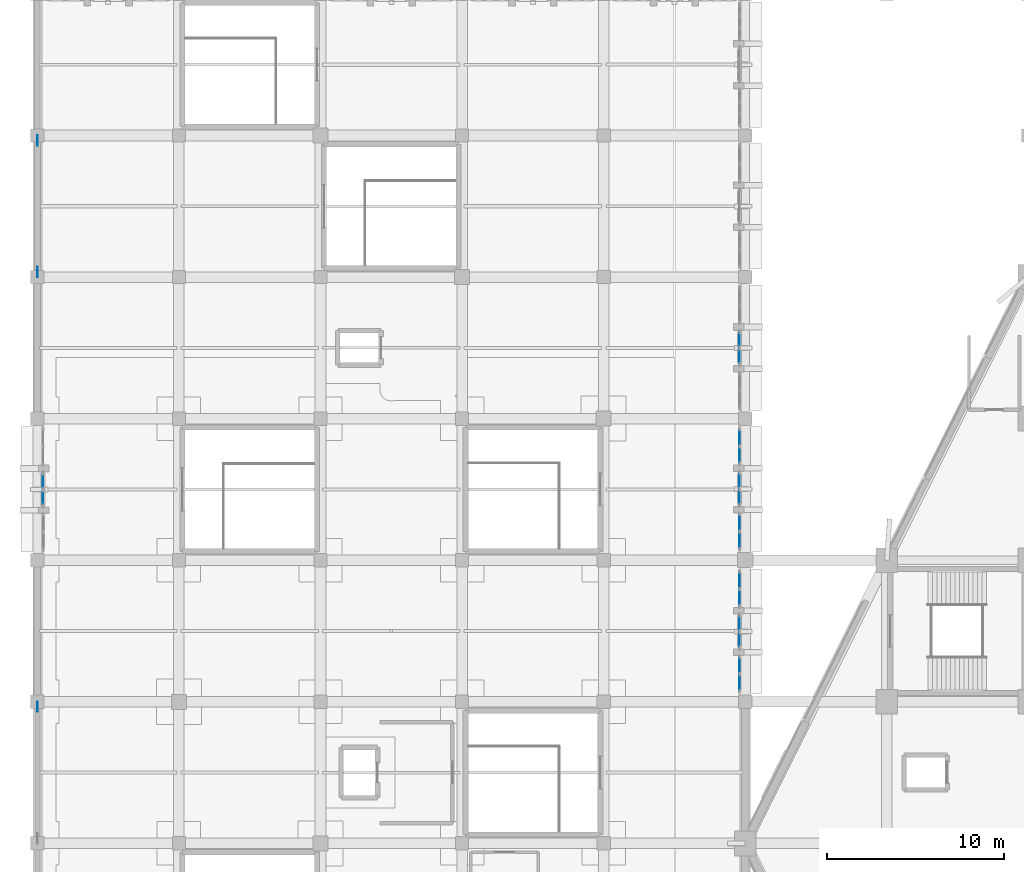
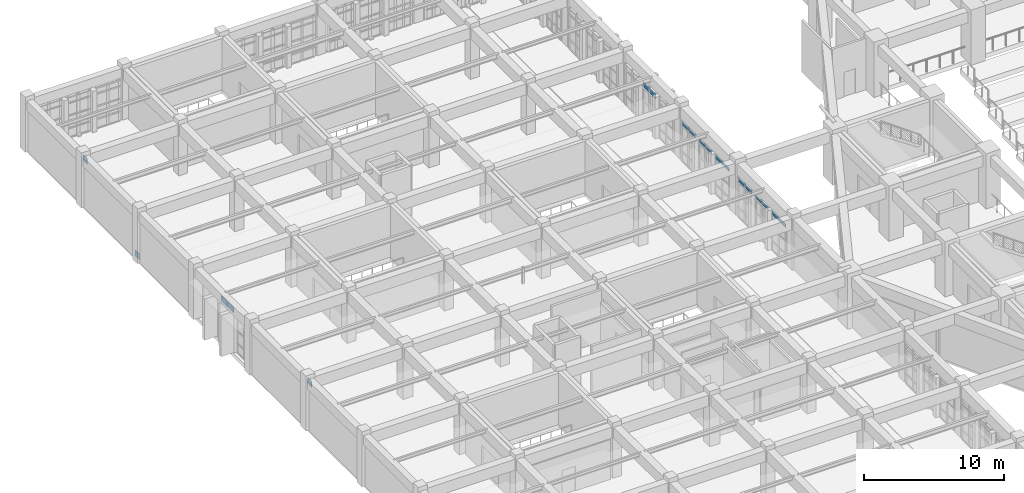
# One storey, part 124 of 155: 19 plates, 8 elements without a shape of their own.
"""IFC4 building model written with IfcOpenShell, lengths in metres."""

from ifc_helpers import new_model, si_unit, direction, frame, origin, origin_2d, place, context, subcontext, project, spatial, rectangle, extrude, material, layer, layer_set, type_object, element, aggregate, save


model = new_model("IFC4")

# Units and contexts
model_context = context("Model", 3, precision=1e-05, world=origin(), true_north=direction((0.0, 1.0)))
body_context = subcontext(model_context, "Body", "Model", "MODEL_VIEW")
ifc_project = project(units=[si_unit("LENGTHUNIT", "METRE"), si_unit("AREAUNIT", "SQUARE_METRE"), si_unit("VOLUMEUNIT", "CUBIC_METRE"), si_unit("PLANEANGLEUNIT", "RADIAN"), si_unit("MASSUNIT", "GRAM", prefix="KILO")], contexts=[model_context])

# Site, building, storey
site_placement = place(None, origin())
site = spatial("IfcSite", under=ifc_project, at=site_placement, CompositionType="ELEMENT")
building_placement = place(site_placement, origin())
building = spatial("IfcBuilding", under=site, at=building_placement, Name="Tazarka Park Arena", CompositionType="ELEMENT")
storey_placement = place(building_placement, frame((0.0, 0.0, 5.39990234375)))
storey = spatial("IfcBuildingStorey", under=building, at=storey_placement, Name="L01", CompositionType="ELEMENT", Elevation=5.39990234375)

# Curtain wall, plates
ifc_material_1 = material(Name="Aluminium and low-e glass", Category="aluminium")
ifc_layer_1 = layer(ifc_material_1, 0.179931640625, Name="Aluminium and low-e glass")
ifc_layer_set_1 = layer_set([ifc_layer_1], Name="Aluminium and low-e glass")
curtain_wall_type_1 = type_object("IfcCurtainWallType", Name="CW-21", PredefinedType="NOTDEFINED", material=ifc_layer_set_1)
curtain_wall_1_placement = place(storey_placement, origin())
curtain_wall_1 = element("IfcCurtainWall", 1, at=curtain_wall_1_placement, inside=storey, type_object=curtain_wall_type_1, Name="Curtain Wall CWA-L01-111", PredefinedType="NOTDEFINED")
ifc_material_2 = material(Name="Double low-e insulated glazing", Category="glass")
ifc_layer_2 = layer(ifc_material_2, 0.028076171875, Name="Double low-e insulated glazing")
ifc_layer_set_2 = layer_set([ifc_layer_2], Name="Double low-e insulated glazing")
plate_type_1 = type_object("IfcPlateType", Name="CWP-01", PredefinedType="CURTAIN_PANEL", material=ifc_layer_set_2)
plate_1_placement = place(storey_placement, frame((39.679931640625, 74.066162109375, 3.08251953125), z_axis=(0.0, 0.0, 1.0), x_axis=(0.0, -1.0, 0.0)))
plate_1 = element("IfcPlate", 2, at=plate_1_placement, type_object=plate_type_1, Name="CW-21 panel 1.4", PredefinedType="CURTAIN_PANEL", context=body_context, shape_type="SweptSolid", body=[
    extrude(rectangle(XDim=0.9208984375, YDim=0.028076171875, at=origin_2d()), origin(), (0.0, 0.0, 1.0), 0.302490234375),
])
plate_2_placement = place(storey_placement, frame((39.679931640625, 73.080322265625, 3.08251953125), z_axis=(0.0, 0.0, 1.0), x_axis=(0.0, -1.0, 0.0)))
plate_2 = element("IfcPlate", 3, at=plate_2_placement, type_object=plate_type_1, Name="CW-21 panel 2.4", PredefinedType="CURTAIN_PANEL", context=body_context, shape_type="SweptSolid", body=[
    extrude(rectangle(XDim=0.9208984375, YDim=0.028076171875, at=origin_2d()), origin(), (0.0, 0.0, 1.0), 0.302490234375),
])
aggregate(curtain_wall_1, [plate_1, plate_2])

ifc_material_3 = material(Name="Aluminium and low-e glass", Category="aluminium")
ifc_layer_3 = layer(ifc_material_3, 0.179931640625, Name="Aluminium and low-e glass")
ifc_layer_set_3 = layer_set([ifc_layer_3], Name="Aluminium and low-e glass")
curtain_wall_type_2 = type_object("IfcCurtainWallType", Name="CW-24", PredefinedType="NOTDEFINED", material=ifc_layer_set_3)
curtain_wall_2_placement = place(storey_placement, origin())
curtain_wall_2 = element("IfcCurtainWall", 4, at=curtain_wall_2_placement, inside=storey, type_object=curtain_wall_type_2, Name="Curtain Wall CWA-L01-114", PredefinedType="NOTDEFINED")
plate_3_placement = place(storey_placement, frame((39.679931640625, 82.1162109375, 3.08251953125), z_axis=(0.0, 0.0, 1.0), x_axis=(0.0, -1.0, 0.0)))
plate_3 = element("IfcPlate", 5, at=plate_3_placement, type_object=plate_type_1, Name="CW-24 panel 1.4", PredefinedType="CURTAIN_PANEL", context=body_context, shape_type="SweptSolid", body=[
    extrude(rectangle(XDim=0.9208984375, YDim=0.028076171875, at=origin_2d()), origin(), (0.0, 0.0, 1.0), 0.302490234375),
])
plate_4_placement = place(storey_placement, frame((39.679931640625, 81.13037109375, 3.08251953125), z_axis=(0.0, 0.0, 1.0), x_axis=(0.0, -1.0, 0.0)))
plate_4 = element("IfcPlate", 6, at=plate_4_placement, type_object=plate_type_1, Name="CW-24 panel 2.4", PredefinedType="CURTAIN_PANEL", context=body_context, shape_type="SweptSolid", body=[
    extrude(rectangle(XDim=0.9208984375, YDim=0.028076171875, at=origin_2d()), origin(), (0.0, 0.0, 1.0), 0.302490234375),
])
aggregate(curtain_wall_2, [plate_3, plate_4])

ifc_material_4 = material(Name="Aluminium and low-e glass", Category="aluminium")
ifc_layer_4 = layer(ifc_material_4, 0.179931640625, Name="Aluminium and low-e glass")
ifc_layer_set_4 = layer_set([ifc_layer_4], Name="Aluminium and low-e glass")
curtain_wall_type_3 = type_object("IfcCurtainWallType", Name="CW-19", PredefinedType="NOTDEFINED", material=ifc_layer_set_4)
curtain_wall_3_placement = place(storey_placement, origin())
curtain_wall_3 = element("IfcCurtainWall", 7, at=curtain_wall_3_placement, inside=storey, type_object=curtain_wall_type_3, Name="Curtain Wall CWA-L01-109", PredefinedType="NOTDEFINED")
ifc_material_5 = material(Name="Triple acoustic solar glazing", Category="glass")
ifc_layer_5 = layer(ifc_material_5, 0.031982421875, Name="Triple acoustic solar glazing")
ifc_layer_set_5 = layer_set([ifc_layer_5], Name="Triple acoustic solar glazing")
plate_type_2 = type_object("IfcPlateType", Name="CWP-02", PredefinedType="CURTAIN_PANEL", material=ifc_layer_set_5)
plate_5_placement = place(storey_placement, frame((39.679931640625, 78.86962890625, 3.08251953125), z_axis=(0.0, 0.0, 1.0), x_axis=(0.0, -1.0, 0.0)))
plate_5 = element("IfcPlate", 8, at=plate_5_placement, type_object=plate_type_2, Name="CW-19 panel 1.4", PredefinedType="CURTAIN_PANEL", context=body_context, shape_type="SweptSolid", body=[
    extrude(rectangle(XDim=0.9208984375, YDim=0.031982421875, at=origin_2d()), origin(), (0.0, 0.0, 1.0), 0.302490234375),
])
plate_6_placement = place(storey_placement, frame((39.679931640625, 77.8837890625, 3.08251953125), z_axis=(0.0, 0.0, 1.0), x_axis=(0.0, -1.0, 0.0)))
plate_6 = element("IfcPlate", 9, at=plate_6_placement, type_object=plate_type_2, Name="CW-19 panel 2.4", PredefinedType="CURTAIN_PANEL", context=body_context, shape_type="SweptSolid", body=[
    extrude(rectangle(XDim=0.9208984375, YDim=0.031982421875, at=origin_2d()), origin(), (0.0, 0.0, 1.0), 0.302490234375),
])
aggregate(curtain_wall_3, [plate_5, plate_6])

ifc_material_6 = material(Name="Aluminium and low-e glass", Category="aluminium")
ifc_layer_6 = layer(ifc_material_6, 0.179931640625, Name="Aluminium and low-e glass")
ifc_layer_set_6 = layer_set([ifc_layer_6], Name="Aluminium and low-e glass")
curtain_wall_type_4 = type_object("IfcCurtainWallType", Name="CW-22", PredefinedType="NOTDEFINED", material=ifc_layer_set_6)
curtain_wall_4_placement = place(storey_placement, origin())
curtain_wall_4 = element("IfcCurtainWall", 10, at=curtain_wall_4_placement, inside=storey, type_object=curtain_wall_type_4, Name="Curtain Wall CWA-L01-112", PredefinedType="NOTDEFINED")
plate_7_placement = place(storey_placement, frame((39.679931640625, 86.919677734375, 3.08251953125), z_axis=(0.0, 0.0, 1.0), x_axis=(0.0, -1.0, 0.0)))
plate_7 = element("IfcPlate", 11, at=plate_7_placement, type_object=plate_type_2, Name="CW-22 panel 1.4", PredefinedType="CURTAIN_PANEL", context=body_context, shape_type="SweptSolid", body=[
    extrude(rectangle(XDim=0.9208984375, YDim=0.031982421875, at=origin_2d()), origin(), (0.0, 0.0, 1.0), 0.302490234375),
])
plate_8_placement = place(storey_placement, frame((39.679931640625, 85.933837890625, 3.08251953125), z_axis=(0.0, 0.0, 1.0), x_axis=(0.0, -1.0, 0.0)))
plate_8 = element("IfcPlate", 12, at=plate_8_placement, type_object=plate_type_2, Name="CW-22 panel 2.4", PredefinedType="CURTAIN_PANEL", context=body_context, shape_type="SweptSolid", body=[
    extrude(rectangle(XDim=0.9208984375, YDim=0.031982421875, at=origin_2d()), origin(), (0.0, 0.0, 1.0), 0.302490234375),
])
aggregate(curtain_wall_4, [plate_7, plate_8])

ifc_material_7 = material(Name="Aluminium and low-e glass", Category="aluminium")
ifc_layer_7 = layer(ifc_material_7, 0.179931640625, Name="Aluminium and low-e glass")
ifc_layer_set_7 = layer_set([ifc_layer_7], Name="Aluminium and low-e glass")
curtain_wall_type_5 = type_object("IfcCurtainWallType", Name="CW-20", PredefinedType="NOTDEFINED", material=ifc_layer_set_7)
curtain_wall_5_placement = place(storey_placement, origin())
curtain_wall_5 = element("IfcCurtainWall", 13, at=curtain_wall_5_placement, inside=storey, type_object=curtain_wall_type_5, Name="Curtain Wall CWA-L01-110", PredefinedType="NOTDEFINED")
ifc_material_8 = material(Name="Insulated aluminium spandrel panel", Category="aluminium")
ifc_layer_8 = layer(ifc_material_8, 0.035888671875, Name="Insulated aluminium spandrel panel")
ifc_layer_set_8 = layer_set([ifc_layer_8], Name="Insulated aluminium spandrel panel")
plate_type_3 = type_object("IfcPlateType", Name="CWP-03", PredefinedType="CURTAIN_PANEL", material=ifc_layer_set_8)
plate_9_placement = place(storey_placement, frame((39.679931640625, 76.43798828125, 3.087646484375), z_axis=(0.0, 0.0, 1.0), x_axis=(0.0, -1.0, 0.0)))
plate_9 = element("IfcPlate", 14, at=plate_9_placement, type_object=plate_type_3, Name="CW-20 panel 1.4", PredefinedType="CURTAIN_PANEL", context=body_context, shape_type="SweptSolid", body=[
    extrude(rectangle(XDim=0.850830078125, YDim=0.035888671875, at=origin_2d()), origin(), (0.0, 0.0, 1.0), 0.28759765625),
])
plate_10_placement = place(storey_placement, frame((39.679931640625, 75.51220703125, 3.087646484375), z_axis=(0.0, 0.0, 1.0), x_axis=(0.0, -1.0, 0.0)))
plate_10 = element("IfcPlate", 15, at=plate_10_placement, type_object=plate_type_3, Name="CW-20 panel 2.4", PredefinedType="CURTAIN_PANEL", context=body_context, shape_type="SweptSolid", body=[
    extrude(rectangle(XDim=0.850830078125, YDim=0.035888671875, at=origin_2d()), origin(), (0.0, 0.0, 1.0), 0.28759765625),
])
aggregate(curtain_wall_5, [plate_9, plate_10])

ifc_material_9 = material(Name="Aluminium and low-e glass", Category="aluminium")
ifc_layer_9 = layer(ifc_material_9, 0.179931640625, Name="Aluminium and low-e glass")
ifc_layer_set_9 = layer_set([ifc_layer_9], Name="Aluminium and low-e glass")
curtain_wall_type_6 = type_object("IfcCurtainWallType", Name="CW-23", PredefinedType="NOTDEFINED", material=ifc_layer_set_9)
curtain_wall_6_placement = place(storey_placement, origin())
curtain_wall_6 = element("IfcCurtainWall", 16, at=curtain_wall_6_placement, inside=storey, type_object=curtain_wall_type_6, Name="Curtain Wall CWA-L01-113", PredefinedType="NOTDEFINED")
plate_11_placement = place(storey_placement, frame((39.679931640625, 84.48779296875, 3.087646484375), z_axis=(0.0, 0.0, 1.0), x_axis=(0.0, -1.0, 0.0)))
plate_11 = element("IfcPlate", 17, at=plate_11_placement, type_object=plate_type_3, Name="CW-23 panel 1.4", PredefinedType="CURTAIN_PANEL", context=body_context, shape_type="SweptSolid", body=[
    extrude(rectangle(XDim=0.850830078125, YDim=0.035888671875, at=origin_2d()), origin(), (0.0, 0.0, 1.0), 0.28759765625),
])
plate_12_placement = place(storey_placement, frame((39.679931640625, 83.56201171875, 3.087646484375), z_axis=(0.0, 0.0, 1.0), x_axis=(0.0, -1.0, 0.0)))
plate_12 = element("IfcPlate", 18, at=plate_12_placement, type_object=plate_type_3, Name="CW-23 panel 2.4", PredefinedType="CURTAIN_PANEL", context=body_context, shape_type="SweptSolid", body=[
    extrude(rectangle(XDim=0.850830078125, YDim=0.035888671875, at=origin_2d()), origin(), (0.0, 0.0, 1.0), 0.28759765625),
])
aggregate(curtain_wall_6, [plate_11, plate_12])

ifc_material_10 = material(Name="Aluminium and low-e glass", Category="aluminium")
ifc_layer_10 = layer(ifc_material_10, 0.179931640625, Name="Aluminium and low-e glass")
ifc_layer_set_10 = layer_set([ifc_layer_10], Name="Aluminium and low-e glass")
curtain_wall_type_7 = type_object("IfcCurtainWallType", Name="CW-26", PredefinedType="NOTDEFINED", material=ifc_layer_set_10)
curtain_wall_7_placement = place(storey_placement, origin())
curtain_wall_7 = element("IfcCurtainWall", 19, at=curtain_wall_7_placement, inside=storey, type_object=curtain_wall_type_7, Name="Curtain Wall CWA-L01-116", PredefinedType="NOTDEFINED")
plate_13_placement = place(storey_placement, frame((39.679931640625, 92.467041015625, 3.087646484375), z_axis=(0.0, 0.0, 1.0), x_axis=(0.0, -1.0, 0.0)))
plate_13 = element("IfcPlate", 20, at=plate_13_placement, type_object=plate_type_3, Name="CW-26 panel 1.4", PredefinedType="CURTAIN_PANEL", context=body_context, shape_type="SweptSolid", body=[
    extrude(rectangle(XDim=0.859130859375, YDim=0.035888671875, at=origin_2d()), origin(), (0.0, 0.0, 1.0), 0.4375),
])
plate_14_placement = place(storey_placement, frame((39.679931640625, 91.532958984375, 3.087646484375), z_axis=(0.0, 0.0, 1.0), x_axis=(0.0, -1.0, 0.0)))
plate_14 = element("IfcPlate", 21, at=plate_14_placement, type_object=plate_type_3, Name="CW-26 panel 2.4", PredefinedType="CURTAIN_PANEL", context=body_context, shape_type="SweptSolid", body=[
    extrude(rectangle(XDim=0.859130859375, YDim=0.035888671875, at=origin_2d()), origin(), (0.0, 0.0, 1.0), 0.4375),
])
aggregate(curtain_wall_7, [plate_13, plate_14])

ifc_material_11 = material(Name="Aluminium and low-e glass", Category="aluminium")
ifc_layer_11 = layer(ifc_material_11, 0.179931640625, Name="Aluminium and low-e glass")
ifc_layer_set_11 = layer_set([ifc_layer_11], Name="Aluminium and low-e glass")
curtain_wall_type_8 = type_object("IfcCurtainWallType", Name="CW-17", PredefinedType="NOTDEFINED", material=ifc_layer_set_11)
curtain_wall_8_placement = place(storey_placement, origin())
curtain_wall_8 = element("IfcCurtainWall", 22, at=curtain_wall_8_placement, inside=storey, type_object=curtain_wall_type_8, Name="Curtain Wall CWA-L01-137", PredefinedType="NOTDEFINED")
plate_15_placement = place(storey_placement, frame((0.320068359375, 83.532958984375, 3.087646484375), z_axis=(0.0, 0.0, 1.0), x_axis=(0.0, 1.0, 0.0)))
plate_15 = element("IfcPlate", 23, at=plate_15_placement, type_object=plate_type_3, Name="CW-17 panel 1.4", PredefinedType="CURTAIN_PANEL", context=body_context, shape_type="SweptSolid", body=[
    extrude(rectangle(XDim=0.859130859375, YDim=0.035888671875, at=origin_2d()), origin(), (0.0, 0.0, 1.0), 0.4375),
])
plate_16_placement = place(storey_placement, frame((0.320068359375, 84.467041015625, 3.087646484375), z_axis=(0.0, 0.0, 1.0), x_axis=(0.0, 1.0, 0.0)))
plate_16 = element("IfcPlate", 24, at=plate_16_placement, type_object=plate_type_3, Name="CW-17 panel 2.4", PredefinedType="CURTAIN_PANEL", context=body_context, shape_type="SweptSolid", body=[
    extrude(rectangle(XDim=0.859130859375, YDim=0.035888671875, at=origin_2d()), origin(), (0.0, 0.0, 1.0), 0.4375),
])
aggregate(curtain_wall_8, [plate_15, plate_16])

# Plates
ifc_material_12 = material(Name="Steel S460", Category="steel")
ifc_layer_12 = layer(ifc_material_12, 0.035888671875, Name="Steel S460")
ifc_layer_set_12 = layer_set([ifc_layer_12], Name="Steel S460")
plate_type_4 = type_object("IfcPlateType", Name="PLT-PL-11", PredefinedType="USERDEFINED", material=ifc_layer_set_12)
for number, where, z_axis, x_axis, name in (
    (25, (0.0, 71.719970703125, 3.81005859375), (0.0, 0.0, 1.0), (1.0, 0.0, 0.0), "BRP-L01-00-2"),
    (26, (0.0, 96.280029296875, -0.010009765625), (0.0, 0.0, 1.0), (1.0, 0.0, 0.0), "BRP-L01-01-1"),
    (27, (0.0, 103.719970703125, 3.81005859375), (0.0, 0.0, 1.0), (1.0, 0.0, 0.0), "BRP-L01-01-2"),
):
    element("IfcPlate", number, at=place(storey_placement, frame(where, z_axis=z_axis, x_axis=x_axis)), inside=storey, type_object=plate_type_4, Name=name, ObjectType="STIFFENER", PredefinedType="USERDEFINED", context=body_context, shape_type="SweptSolid", body=[
        extrude(rectangle(XDim=0.035888671875, YDim=0.580078125, at=origin_2d()), origin(), (0.0, 0.0, 1.0), 0.52001953125),
    ])

save(model, "model.ifc")
